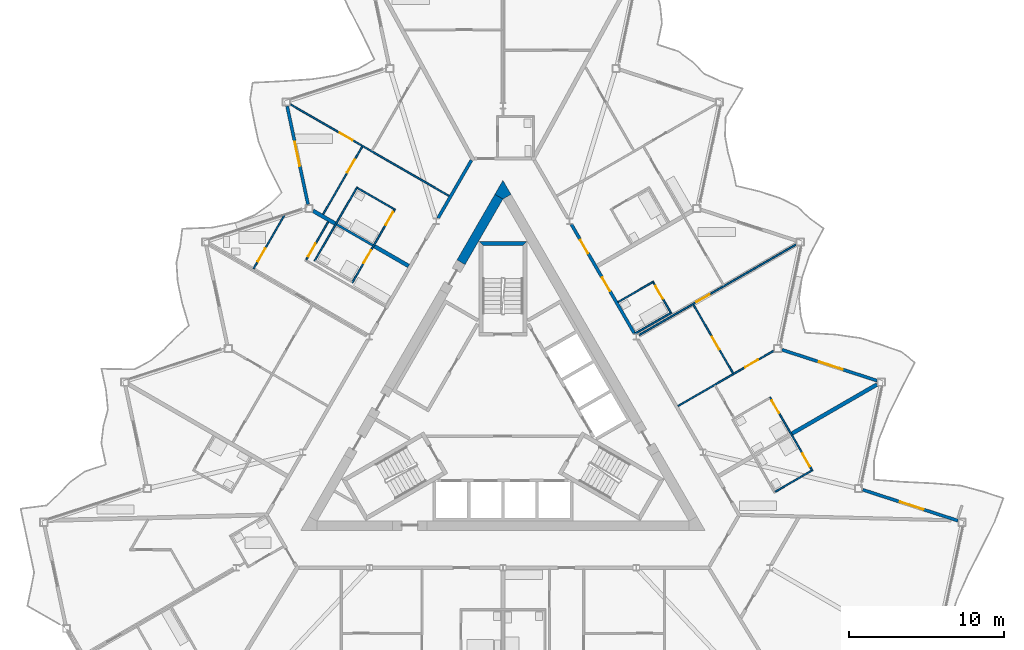
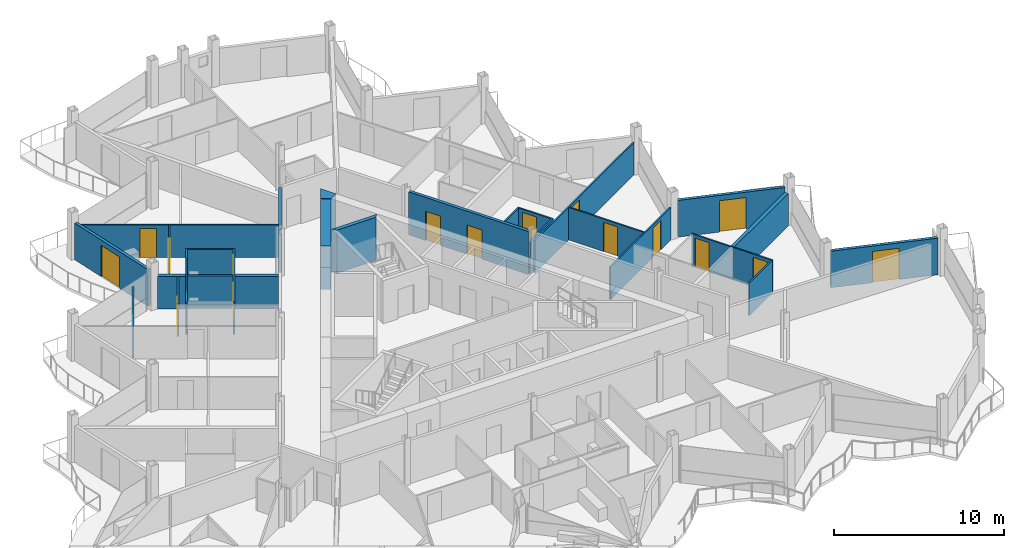
# One storey, part 16 of 26: 27 walls, 17 doors, 17 openings.
"""IFC4 building model written with IfcOpenShell, lengths in metres."""

from ifc_helpers import new_model, si_unit, direction, frame, frame_2d, origin, place, context, subcontext, project, spatial, polyline, rectangle, outline, extrude, material, layer, layer_set, type_object, element, fill, save


model = new_model("IFC4")

# Units and contexts
model_context = context("Model", 3, precision=1e-05, world=origin(), true_north=direction((0.0, 1.0)))
body_context = subcontext(model_context, "Body", "Model", "MODEL_VIEW")
ifc_project = project(units=[si_unit("LENGTHUNIT", "METRE"), si_unit("AREAUNIT", "SQUARE_METRE"), si_unit("VOLUMEUNIT", "CUBIC_METRE"), si_unit("PLANEANGLEUNIT", "RADIAN"), si_unit("MASSUNIT", "GRAM", prefix="KILO")], contexts=[model_context])

# Site, building, storey
site_placement = place(None, origin())
site = spatial("IfcSite", under=ifc_project, at=site_placement, CompositionType="ELEMENT")
building_placement = place(site_placement, origin())
building = spatial("IfcBuilding", under=site, at=building_placement, Name="Cormorant Prow Tower", CompositionType="ELEMENT")
storey_placement = place(building_placement, frame((0.0, 0.0, 401.800048828125)))
storey = spatial("IfcBuildingStorey", under=building, at=storey_placement, Name="L92", CompositionType="ELEMENT", Elevation=401.800048828125)

# Walls
ifc_material_1 = material(Name="Concrete 8000 psi", Category="concrete")
ifc_layer_1 = layer(ifc_material_1, 0.60009765625)
ifc_layer_set_1 = layer_set([ifc_layer_1], Name="Concrete 8000 psi")
wall_type_1 = type_object("IfcWallType", Name="Core shear wall 600", PredefinedType="SHEAR", material=ifc_layer_set_1)
wall_1_placement = place(storey_placement, frame((-0.259765625, 13.961181640625, 0.0), z_axis=(0.0, 0.0, 1.0), x_axis=(-0.50000604952, -0.866021911064, 0.0)))
element("IfcWall", 1, at=wall_1_placement, inside=storey, type_object=wall_type_1, Name="Core wall", PredefinedType="SHEAR", context=body_context, shape_type="SweptSolid", body=[
    extrude(rectangle(XDim=4.86865234375, YDim=0.60009765625, at=frame_2d((2.434326171875, 0.0))), origin(), (0.0, 0.0, 1.0), 3.099853515625),
])
wall_2_placement = place(storey_placement, origin())
element("IfcWall", 2, at=wall_2_placement, inside=storey, type_object=wall_type_1, Name="Core wall corner", PredefinedType="SHEAR", context=body_context, shape_type="SweptSolid", body=[
    extrude(outline(polyline([(-0.51953125, 14.111083984375), (0.0, 15.010986328125), (0.51953125, 14.111083984375), (0.0, 13.81103515625), (-0.51953125, 14.111083984375)])), origin(), (0.0, 0.0, 1.0), 3.099853515625),
])

# Wall, openings, doors
ifc_material_2 = material(Name="Gypsum board corridor wall")
ifc_layer_2 = layer(ifc_material_2, 0.199951171875)
ifc_layer_set_2 = layer_set([ifc_layer_2], Name="Gypsum board corridor wall")
wall_type_2 = type_object("IfcWallType", Name="Corridor wall 200", PredefinedType="PARTITIONING", material=ifc_layer_set_2)
wall_3_placement = place(storey_placement, frame((4.403076171875, 12.184814453125, 0.0), z_axis=(0.0, 0.0, 1.0), x_axis=(0.499992155518, -0.866029932751, 0.0)))
wall_3 = element("IfcWall", 3, at=wall_3_placement, inside=storey, type_object=wall_type_2, Name="Corridor wall", PredefinedType="PARTITIONING", context=body_context, shape_type="SweptSolid", body=[
    extrude(rectangle(XDim=8.123291015625, YDim=0.199951171875, at=frame_2d((4.0615234375, 0.0))), origin(), (0.0, 0.0, 1.0), 3.099853515625),
])
opening_1_placement = place(wall_3_placement, frame((3.963134765625, 0.0, 0.0)))
opening_1 = element("IfcOpeningElement", 4, at=opening_1_placement, cuts=wall_3, Name="Opening L92-F20", PredefinedType="OPENING", context=body_context, shape_type="SweptSolid", body=[
    extrude(rectangle(XDim=1.0, YDim=2.10009765625, at=frame_2d((0.5, 1.050048828125))), frame((0.0, 0.10986328125, 0.0), z_axis=(0.0, -1.0, 0.0), x_axis=(1.0, 0.0, 0.0)), (0.0, 0.0, 1.0), 0.219970703125),
])
opening_2_placement = place(wall_3_placement, frame((1.1533203125, 0.0, 0.0)))
opening_2 = element("IfcOpeningElement", 5, at=opening_2_placement, cuts=wall_3, Name="Opening L92-F28", PredefinedType="OPENING", context=body_context, shape_type="SweptSolid", body=[
    extrude(rectangle(XDim=1.0, YDim=2.10009765625, at=frame_2d((0.5, 1.050048828125))), frame((0.0, 0.10986328125, 0.0), z_axis=(0.0, -1.0, 0.0), x_axis=(1.0, 0.0, 0.0)), (0.0, 0.0, 1.0), 0.219970703125),
])
ifc_material_3 = material(Name="Timber door leaf", Category="wood")
door_type_1 = type_object("IfcDoorType", Name="Flat or room entrance door 1000x2100", OperationType="NOTDEFINED", PredefinedType="DOOR", material=ifc_material_3)
door_1_placement = place(opening_1_placement, origin())
door_1 = element("IfcDoor", 6, at=door_1_placement, inside=storey, type_object=door_type_1, Name="Living room door", OperationType="SINGLE_SWING_LEFT", OverallHeight=2.10009765625, OverallWidth=1.0, PredefinedType="DOOR", context=body_context, shape_type="SweptSolid", body=[
    extrude(rectangle(XDim=1.0, YDim=2.10009765625, at=frame_2d((0.5, 1.050048828125))), frame((0.0, 0.02490234375, 0.0), z_axis=(0.0, -1.0, 0.0), x_axis=(1.0, 0.0, 0.0)), (0.0, 0.0, 1.0), 0.050048828125),
])
fill(opening_1, door_1)
door_2_placement = place(opening_2_placement, origin())
door_2 = element("IfcDoor", 7, at=door_2_placement, inside=storey, type_object=door_type_1, Name="Living room door", OperationType="SINGLE_SWING_RIGHT", OverallHeight=2.10009765625, OverallWidth=1.0, PredefinedType="DOOR", context=body_context, shape_type="SweptSolid", body=[
    extrude(rectangle(XDim=1.0, YDim=2.10009765625, at=frame_2d((0.5, 1.050048828125))), frame((0.0, 0.02490234375, 0.0), z_axis=(0.0, -1.0, 0.0), x_axis=(1.0, 0.0, 0.0)), (0.0, 0.0, 1.0), 0.050048828125),
])
fill(opening_2, door_2)

# Wall
wall_4_placement = place(storey_placement, frame((-4.175537109375, 12.578857421875, 0.0), z_axis=(0.0, 0.0, 1.0), x_axis=(0.500004215162, 0.866022970146, 0.0)))
element("IfcWall", 8, at=wall_4_placement, inside=storey, type_object=wall_type_2, Name="Corridor wall", PredefinedType="PARTITIONING", context=body_context, shape_type="SweptSolid", body=[
    extrude(rectangle(XDim=4.30029296875, YDim=0.199951171875, at=frame_2d((2.150146484375, 0.0))), origin(), (0.0, 0.0, 1.0), 3.099853515625),
])

# Wall, opening, door
ifc_material_4 = material(Name="Gypsum board partition")
ifc_layer_3 = layer(ifc_material_4, 0.10009765625)
ifc_layer_set_3 = layer_set([ifc_layer_3], Name="Gypsum board partition")
wall_type_3 = type_object("IfcWallType", Name="Internal partition 100", PredefinedType="PARTITIONING", material=ifc_layer_set_3)
wall_5_placement = place(storey_placement, frame((-13.668701171875, 19.900390625, 0.0), z_axis=(0.0, 0.0, 1.0), x_axis=(0.866032376801, -0.499987922186, 0.0)))
wall_5 = element("IfcWall", 9, at=wall_5_placement, inside=storey, type_object=wall_type_3, Name="Internal partition", PredefinedType="PARTITIONING", context=body_context, shape_type="SweptSolid", body=[
    extrude(rectangle(XDim=11.781982421875, YDim=0.10009765625, at=frame_2d((5.89111328125, 0.0))), origin(), (0.0, 0.0, 1.0), 2.330078125),
])
opening_3_placement = place(wall_5_placement, frame((3.66064453125, 0.0, 0.0)))
opening_3 = element("IfcOpeningElement", 10, at=opening_3_placement, cuts=wall_5, Name="Opening L92-F42", PredefinedType="OPENING", context=body_context, shape_type="SweptSolid", body=[
    extrude(rectangle(XDim=0.949951171875, YDim=2.10009765625, at=frame_2d((0.47509765625, 1.050048828125))), frame((0.0, 0.06005859375, 0.0), z_axis=(0.0, -1.0, 0.0), x_axis=(1.0, 0.0, 0.0)), (0.0, 0.0, 1.0), 0.1201171875),
])
ifc_material_5 = material(Name="Timber door leaf", Category="wood")
door_type_2 = type_object("IfcDoorType", Name="Bathroom door 950x2100", OperationType="NOTDEFINED", PredefinedType="DOOR", material=ifc_material_5)
door_3_placement = place(opening_3_placement, origin())
door_3 = element("IfcDoor", 11, at=door_3_placement, inside=storey, type_object=door_type_2, Name="Kitchen door", OperationType="SINGLE_SWING_RIGHT", OverallHeight=2.10009765625, OverallWidth=0.949951171875, PredefinedType="DOOR", context=body_context, shape_type="SweptSolid", body=[
    extrude(rectangle(XDim=0.949951171875, YDim=2.10009765625, at=frame_2d((0.47509765625, 1.050048828125))), frame((0.0, 0.02490234375, 0.0), z_axis=(0.0, -1.0, 0.0), x_axis=(1.0, 0.0, 0.0)), (0.0, 0.0, 1.0), 0.050048828125),
])
fill(opening_3, door_3)

wall_6_placement = place(storey_placement, frame((8.775390625, 5.06640625, 0.0), z_axis=(0.0, 0.0, 1.0), x_axis=(0.866023724155, 0.500002909193, 0.0)))
wall_6 = element("IfcWall", 12, at=wall_6_placement, inside=storey, type_object=wall_type_3, Name="Internal partition", PredefinedType="PARTITIONING", context=body_context, shape_type="SweptSolid", body=[
    extrude(rectangle(XDim=11.65478515625, YDim=0.10009765625, at=frame_2d((5.827392578125, 0.0))), origin(), (0.0, 0.0, 1.0), 2.330078125),
])
opening_4_placement = place(wall_6_placement, frame((4.251708984375, 0.0, 0.0)))
opening_4 = element("IfcOpeningElement", 13, at=opening_4_placement, cuts=wall_6, Name="Opening L92-F23", PredefinedType="OPENING", context=body_context, shape_type="SweptSolid", body=[
    extrude(rectangle(XDim=0.949951171875, YDim=2.10009765625, at=frame_2d((0.47509765625, 1.050048828125))), frame((0.0, 0.06005859375, 0.0), z_axis=(0.0, -1.0, 0.0), x_axis=(1.0, 0.0, 0.0)), (0.0, 0.0, 1.0), 0.1201171875),
])
door_4_placement = place(opening_4_placement, origin())
door_4 = element("IfcDoor", 14, at=door_4_placement, inside=storey, type_object=door_type_2, Name="Living room door", OperationType="SINGLE_SWING_LEFT", OverallHeight=2.10009765625, OverallWidth=0.949951171875, PredefinedType="DOOR", context=body_context, shape_type="SweptSolid", body=[
    extrude(rectangle(XDim=0.949951171875, YDim=2.10009765625, at=frame_2d((0.47509765625, 1.050048828125))), frame((0.0, 0.02490234375, 0.0), z_axis=(0.0, -1.0, 0.0), x_axis=(1.0, 0.0, 0.0)), (0.0, 0.0, 1.0), 0.050048828125),
])
fill(opening_4, door_4)

wall_7_placement = place(storey_placement, frame((11.26513671875, 0.49951171875, 0.0), z_axis=(0.0, 0.0, 1.0), x_axis=(0.866033839264, 0.499985389037, 0.0)))
wall_7 = element("IfcWall", 15, at=wall_7_placement, inside=storey, type_object=wall_type_3, Name="Internal partition", PredefinedType="PARTITIONING", context=body_context, shape_type="SweptSolid", body=[
    extrude(rectangle(XDim=7.099853515625, YDim=0.10009765625, at=frame_2d((3.5498046875, 0.0))), origin(), (0.0, 0.0, 1.0), 2.330078125),
])
opening_5_placement = place(wall_7_placement, frame((4.991943359375, 0.0, 0.0)))
opening_5 = element("IfcOpeningElement", 16, at=opening_5_placement, cuts=wall_7, Name="Opening L92-F25", PredefinedType="OPENING", context=body_context, shape_type="SweptSolid", body=[
    extrude(rectangle(XDim=0.949951171875, YDim=2.10009765625, at=frame_2d((0.47509765625, 1.050048828125))), frame((0.0, 0.06005859375, 0.0), z_axis=(0.0, -1.0, 0.0), x_axis=(1.0, 0.0, 0.0)), (0.0, 0.0, 1.0), 0.1201171875),
])
door_5_placement = place(opening_5_placement, origin())
door_5 = element("IfcDoor", 17, at=door_5_placement, inside=storey, type_object=door_type_2, Name="Bedroom door", OperationType="SINGLE_SWING_LEFT", OverallHeight=2.10009765625, OverallWidth=0.949951171875, PredefinedType="DOOR", context=body_context, shape_type="SweptSolid", body=[
    extrude(rectangle(XDim=0.949951171875, YDim=2.10009765625, at=frame_2d((0.47509765625, 1.050048828125))), frame((0.0, 0.02490234375, 0.0), z_axis=(0.0, -1.0, 0.0), x_axis=(1.0, 0.0, 0.0)), (0.0, 0.0, 1.0), 0.050048828125),
])
fill(opening_5, door_5)

# Wall
wall_8_placement = place(storey_placement, frame((-12.11669921875, 9.824462890625, 0.0), z_axis=(0.0, 0.0, 1.0), x_axis=(0.499996545922, 0.866027397988, 0.0)))
element("IfcWall", 18, at=wall_8_placement, inside=storey, type_object=wall_type_3, Name="Internal partition", PredefinedType="PARTITIONING", context=body_context, shape_type="SweptSolid", body=[
    extrude(rectangle(XDim=5.5, YDim=0.10009765625, at=frame_2d((2.75, 0.0))), origin(), (0.0, 0.0, 1.0), 2.330078125),
])

# Wall, openings, doors
wall_9_placement = place(storey_placement, frame((-9.691650390625, 8.424560546875, 0.0), z_axis=(0.0, 0.0, 1.0), x_axis=(0.499996545922, 0.866027397988, 0.0)))
wall_9 = element("IfcWall", 19, at=wall_9_placement, inside=storey, type_object=wall_type_3, Name="Internal partition", PredefinedType="PARTITIONING", context=body_context, shape_type="SweptSolid", body=[
    extrude(rectangle(XDim=5.5, YDim=0.10009765625, at=frame_2d((2.75, 0.0))), origin(), (0.0, 0.0, 1.0), 2.330078125),
])
opening_6_placement = place(wall_9_placement, frame((4.300048828125, 0.0, 0.0)))
opening_6 = element("IfcOpeningElement", 20, at=opening_6_placement, cuts=wall_9, Name="Opening L92-F40", PredefinedType="OPENING", context=body_context, shape_type="SweptSolid", body=[
    extrude(rectangle(XDim=0.949951171875, YDim=2.10009765625, at=frame_2d((0.47509765625, 1.050048828125))), frame((0.0, 0.06005859375, 0.0), z_axis=(0.0, -1.0, 0.0), x_axis=(1.0, 0.0, 0.0)), (0.0, 0.0, 1.0), 0.1201171875),
])
opening_7_placement = place(wall_9_placement, frame((1.465087890625, 0.0, 0.0)))
opening_7 = element("IfcOpeningElement", 21, at=opening_7_placement, cuts=wall_9, Name="Opening L92-F51", PredefinedType="OPENING", context=body_context, shape_type="SweptSolid", body=[
    extrude(rectangle(XDim=0.949951171875, YDim=2.10009765625, at=frame_2d((0.47509765625, 1.050048828125))), frame((0.0, 0.06005859375, 0.0), z_axis=(0.0, -1.0, 0.0), x_axis=(1.0, 0.0, 0.0)), (0.0, 0.0, 1.0), 0.1201171875),
])
door_6_placement = place(opening_6_placement, origin())
door_6 = element("IfcDoor", 22, at=door_6_placement, inside=storey, type_object=door_type_2, Name="Living room door", OperationType="SINGLE_SWING_RIGHT", OverallHeight=2.10009765625, OverallWidth=0.949951171875, PredefinedType="DOOR", context=body_context, shape_type="SweptSolid", body=[
    extrude(rectangle(XDim=0.949951171875, YDim=2.10009765625, at=frame_2d((0.47509765625, 1.050048828125))), frame((0.0, 0.02490234375, 0.0), z_axis=(0.0, -1.0, 0.0), x_axis=(1.0, 0.0, 0.0)), (0.0, 0.0, 1.0), 0.050048828125),
])
fill(opening_6, door_6)
door_7_placement = place(opening_7_placement, origin())
door_7 = element("IfcDoor", 23, at=door_7_placement, inside=storey, type_object=door_type_2, Name="Kitchen door", OperationType="SINGLE_SWING_RIGHT", OverallHeight=2.10009765625, OverallWidth=0.949951171875, PredefinedType="DOOR", context=body_context, shape_type="SweptSolid", body=[
    extrude(rectangle(XDim=0.949951171875, YDim=2.10009765625, at=frame_2d((0.47509765625, 1.050048828125))), frame((0.0, 0.02490234375, 0.0), z_axis=(0.0, -1.0, 0.0), x_axis=(1.0, 0.0, 0.0)), (0.0, 0.0, 1.0), 0.050048828125),
])
fill(opening_7, door_7)

wall_10_placement = place(storey_placement, frame((17.16650390625, 1.07763671875, 0.0), z_axis=(0.0, 0.0, 1.0), x_axis=(0.499996545922, -0.866027397988, 0.0)))
wall_10 = element("IfcWall", 24, at=wall_10_placement, inside=storey, type_object=wall_type_3, Name="Internal partition", PredefinedType="PARTITIONING", context=body_context, shape_type="SweptSolid", body=[
    extrude(rectangle(XDim=5.5, YDim=0.10009765625, at=frame_2d((2.75, 0.0))), origin(), (0.0, 0.0, 1.0), 2.330078125),
])
opening_8_placement = place(wall_10_placement, frame((4.19873046875, 0.0, 0.0)))
opening_8 = element("IfcOpeningElement", 25, at=opening_8_placement, cuts=wall_10, Name="Opening L92-F19", PredefinedType="OPENING", context=body_context, shape_type="SweptSolid", body=[
    extrude(rectangle(XDim=0.949951171875, YDim=2.10009765625, at=frame_2d((0.47509765625, 1.050048828125))), frame((0.0, 0.06005859375, 0.0), z_axis=(0.0, -1.0, 0.0), x_axis=(1.0, 0.0, 0.0)), (0.0, 0.0, 1.0), 0.1201171875),
])
opening_9_placement = place(wall_10_placement, frame((0.25, 0.0, 0.0)))
opening_9 = element("IfcOpeningElement", 26, at=opening_9_placement, cuts=wall_10, Name="Opening L92-F27", PredefinedType="OPENING", context=body_context, shape_type="SweptSolid", body=[
    extrude(rectangle(XDim=0.949951171875, YDim=2.10009765625, at=frame_2d((0.47509765625, 1.050048828125))), frame((0.0, 0.06005859375, 0.0), z_axis=(0.0, -1.0, 0.0), x_axis=(1.0, 0.0, 0.0)), (0.0, 0.0, 1.0), 0.1201171875),
])
door_8_placement = place(opening_8_placement, origin())
door_8 = element("IfcDoor", 27, at=door_8_placement, inside=storey, type_object=door_type_2, Name="Studio living, kitchen and sleeping room door", OperationType="SINGLE_SWING_RIGHT", OverallHeight=2.10009765625, OverallWidth=0.949951171875, PredefinedType="DOOR", context=body_context, shape_type="SweptSolid", body=[
    extrude(rectangle(XDim=0.949951171875, YDim=2.10009765625, at=frame_2d((0.47509765625, 1.050048828125))), frame((0.0, 0.02490234375, 0.0), z_axis=(0.0, -1.0, 0.0), x_axis=(1.0, 0.0, 0.0)), (0.0, 0.0, 1.0), 0.050048828125),
])
fill(opening_8, door_8)
door_9_placement = place(opening_9_placement, origin())
door_9 = element("IfcDoor", 28, at=door_9_placement, inside=storey, type_object=door_type_2, Name="Bedroom door", OperationType="SINGLE_SWING_LEFT", OverallHeight=2.10009765625, OverallWidth=0.949951171875, PredefinedType="DOOR", context=body_context, shape_type="SweptSolid", body=[
    extrude(rectangle(XDim=0.949951171875, YDim=2.10009765625, at=frame_2d((0.47509765625, 1.050048828125))), frame((0.0, 0.02490234375, 0.0), z_axis=(0.0, -1.0, 0.0), x_axis=(1.0, 0.0, 0.0)), (0.0, 0.0, 1.0), 0.050048828125),
])
fill(opening_9, door_9)

# Wall, opening, door
wall_11_placement = place(storey_placement, frame((12.25390625, 7.01708984375, 0.0), z_axis=(0.0, 0.0, 1.0), x_axis=(0.500005610874, -0.86602216432, 0.0)))
wall_11 = element("IfcWall", 29, at=wall_11_placement, inside=storey, type_object=wall_type_3, Name="Internal partition", PredefinedType="PARTITIONING", context=body_context, shape_type="SweptSolid", body=[
    extrude(rectangle(XDim=5.10009765625, YDim=0.10009765625, at=frame_2d((2.550048828125, 0.0))), origin(), (0.0, 0.0, 1.0), 2.330078125),
])
opening_10_placement = place(wall_11_placement, frame((2.379150390625, 0.0, 0.0)))
opening_10 = element("IfcOpeningElement", 30, at=opening_10_placement, cuts=wall_11, Name="Opening L92-F24", PredefinedType="OPENING", context=body_context, shape_type="SweptSolid", body=[
    extrude(rectangle(XDim=0.949951171875, YDim=2.10009765625, at=frame_2d((0.47509765625, 1.050048828125))), frame((0.0, 0.06005859375, 0.0), z_axis=(0.0, -1.0, 0.0), x_axis=(1.0, 0.0, 0.0)), (0.0, 0.0, 1.0), 0.1201171875),
])
door_10_placement = place(opening_10_placement, origin())
door_10 = element("IfcDoor", 31, at=door_10_placement, inside=storey, type_object=door_type_2, Name="Bedroom door", OperationType="SINGLE_SWING_RIGHT", OverallHeight=2.10009765625, OverallWidth=0.949951171875, PredefinedType="DOOR", context=body_context, shape_type="SweptSolid", body=[
    extrude(rectangle(XDim=0.949951171875, YDim=2.10009765625, at=frame_2d((0.47509765625, 1.050048828125))), frame((0.0, 0.02490234375, 0.0), z_axis=(0.0, -1.0, 0.0), x_axis=(1.0, 0.0, 0.0)), (0.0, 0.0, 1.0), 0.050048828125),
])
fill(opening_10, door_10)

wall_12_placement = place(storey_placement, frame((-11.56494140625, 12.82568359375, 0.0), z_axis=(0.0, 0.0, 1.0), x_axis=(0.499990214365, 0.86603105345, 0.0)))
wall_12 = element("IfcWall", 32, at=wall_12_placement, inside=storey, type_object=wall_type_3, Name="Internal partition", PredefinedType="PARTITIONING", context=body_context, shape_type="SweptSolid", body=[
    extrude(rectangle(XDim=5.02490234375, YDim=0.10009765625, at=frame_2d((2.512451171875, 0.0))), origin(), (0.0, 0.0, 1.0), 2.330078125),
])
opening_11_placement = place(wall_12_placement, frame((3.110107421875, 0.0, 0.0)))
opening_11 = element("IfcOpeningElement", 33, at=opening_11_placement, cuts=wall_12, Name="Opening L92-F41", PredefinedType="OPENING", context=body_context, shape_type="SweptSolid", body=[
    extrude(rectangle(XDim=0.949951171875, YDim=2.10009765625, at=frame_2d((0.47509765625, 1.050048828125))), frame((0.0, 0.06005859375, 0.0), z_axis=(0.0, -1.0, 0.0), x_axis=(1.0, 0.0, 0.0)), (0.0, 0.0, 1.0), 0.1201171875),
])
door_11_placement = place(opening_11_placement, origin())
door_11 = element("IfcDoor", 34, at=door_11_placement, inside=storey, type_object=door_type_2, Name="Living room door", OperationType="SINGLE_SWING_RIGHT", OverallHeight=2.10009765625, OverallWidth=0.949951171875, PredefinedType="DOOR", context=body_context, shape_type="SweptSolid", body=[
    extrude(rectangle(XDim=0.949951171875, YDim=2.10009765625, at=frame_2d((0.47509765625, 1.050048828125))), frame((0.0, 0.02490234375, 0.0), z_axis=(0.0, -1.0, 0.0), x_axis=(1.0, 0.0, 0.0)), (0.0, 0.0, 1.0), 0.050048828125),
])
fill(opening_11, door_11)

wall_13_placement = place(storey_placement, frame((-16.044921875, 9.3212890625, 0.0), z_axis=(0.0, 0.0, 1.0), x_axis=(0.500014251897, 0.866017175291, 0.0)))
wall_13 = element("IfcWall", 35, at=wall_13_placement, inside=storey, type_object=wall_type_3, Name="Internal partition", PredefinedType="PARTITIONING", context=body_context, shape_type="SweptSolid", body=[
    extrude(rectangle(XDim=4.03173828125, YDim=0.10009765625, at=frame_2d((2.015869140625, 0.0))), origin(), (0.0, 0.0, 1.0), 2.330078125),
])
opening_12_placement = place(wall_13_placement, frame((0.559814453125, 0.0, 0.0)))
opening_12 = element("IfcOpeningElement", 36, at=opening_12_placement, cuts=wall_13, Name="Opening L92-F45", PredefinedType="OPENING", context=body_context, shape_type="SweptSolid", body=[
    extrude(rectangle(XDim=0.949951171875, YDim=2.10009765625, at=frame_2d((0.47509765625, 1.050048828125))), frame((0.0, 0.06005859375, 0.0), z_axis=(0.0, -1.0, 0.0), x_axis=(1.0, 0.0, 0.0)), (0.0, 0.0, 1.0), 0.1201171875),
])
door_12_placement = place(opening_12_placement, origin())
door_12 = element("IfcDoor", 37, at=door_12_placement, inside=storey, type_object=door_type_2, Name="Living room door", OperationType="SINGLE_SWING_LEFT", OverallHeight=2.10009765625, OverallWidth=0.949951171875, PredefinedType="DOOR", context=body_context, shape_type="SweptSolid", body=[
    extrude(rectangle(XDim=0.949951171875, YDim=2.10009765625, at=frame_2d((0.47509765625, 1.050048828125))), frame((0.0, 0.02490234375, 0.0), z_axis=(0.0, -1.0, 0.0), x_axis=(1.0, 0.0, 0.0)), (0.0, 0.0, 1.0), 0.050048828125),
])
fill(opening_12, door_12)

wall_14_placement = place(storey_placement, frame((-12.649658203125, 9.9013671875, 0.0), z_axis=(0.0, 0.0, 1.0), x_axis=(0.500024172624, 0.866011447264, 0.0)))
wall_14 = element("IfcWall", 38, at=wall_14_placement, inside=storey, type_object=wall_type_3, Name="Internal partition", PredefinedType="PARTITIONING", context=body_context, shape_type="SweptSolid", body=[
    extrude(rectangle(XDim=2.824951171875, YDim=0.10009765625, at=frame_2d((1.41259765625, 0.0))), origin(), (0.0, 0.0, 1.0), 2.330078125),
])
opening_13_placement = place(wall_14_placement, frame((0.25, 0.0, 0.0)))
opening_13 = element("IfcOpeningElement", 39, at=opening_13_placement, cuts=wall_14, Name="Opening L92-F46", PredefinedType="OPENING", context=body_context, shape_type="SweptSolid", body=[
    extrude(rectangle(XDim=0.949951171875, YDim=2.10009765625, at=frame_2d((0.47509765625, 1.050048828125))), frame((0.0, 0.06005859375, 0.0), z_axis=(0.0, -1.0, 0.0), x_axis=(1.0, 0.0, 0.0)), (0.0, 0.0, 1.0), 0.1201171875),
])
door_13_placement = place(opening_13_placement, origin())
door_13 = element("IfcDoor", 40, at=door_13_placement, inside=storey, type_object=door_type_2, Name="Living room door", OperationType="SINGLE_SWING_LEFT", OverallHeight=2.10009765625, OverallWidth=0.949951171875, PredefinedType="DOOR", context=body_context, shape_type="SweptSolid", body=[
    extrude(rectangle(XDim=0.949951171875, YDim=2.10009765625, at=frame_2d((0.47509765625, 1.050048828125))), frame((0.0, 0.02490234375, 0.0), z_axis=(0.0, -1.0, 0.0), x_axis=(1.0, 0.0, 0.0)), (0.0, 0.0, 1.0), 0.050048828125),
])
fill(opening_13, door_13)

# Walls
for number, where, z_axis, x_axis, name in (
    (41, (-9.348388671875, 14.519287109375, 0.0), (0.0, 0.0, 1.0), (0.866059108428, -0.4999416173, 0.0), "Internal partition"),
    (42, (17.510009765625, -5.01708984375, 0.0), (0.0, 0.0, 1.0), (0.866059108428, 0.4999416173, 0.0), "Internal partition"),
):
    element("IfcWall", number, at=place(storey_placement, frame(where, z_axis=z_axis, x_axis=x_axis)), inside=storey, type_object=wall_type_3, Name=name, PredefinedType="PARTITIONING", context=body_context, shape_type="SweptSolid", body=[
        extrude(rectangle(XDim=2.699951171875, YDim=0.10009765625, at=frame_2d((1.35009765625, 0.0))), origin(), (0.0, 0.0, 1.0), 2.330078125),
    ])
wall_15_placement = place(storey_placement, frame((7.406982421875, 7.181640625, 0.0), z_axis=(0.0, 0.0, 1.0), x_axis=(0.866052124492, 0.499953715521, 0.0)))
element("IfcWall", 43, at=wall_15_placement, inside=storey, type_object=wall_type_3, Name="Internal partition", PredefinedType="PARTITIONING", context=body_context, shape_type="SweptSolid", body=[
    extrude(rectangle(XDim=2.650146484375, YDim=0.10009765625, at=frame_2d((1.3251953125, 0.0))), origin(), (0.0, 0.0, 1.0), 2.330078125),
])
wall_16_placement = place(storey_placement, frame((8.48779296875, 5.14990234375, 0.0), z_axis=(0.0, 0.0, 1.0), x_axis=(0.866027727466, 0.499995975244, 0.0)))
element("IfcWall", 44, at=wall_16_placement, inside=storey, type_object=wall_type_3, Name="Internal partition", PredefinedType="PARTITIONING", context=body_context, shape_type="SweptSolid", body=[
    extrude(rectangle(XDim=2.72998046875, YDim=0.10009765625, at=frame_2d((1.364990234375, 0.0))), origin(), (0.0, 0.0, 1.0), 2.330078125),
])

# Wall, opening, door
wall_17_placement = place(storey_placement, frame((9.683837890625, 8.438232421875, 0.0), z_axis=(0.0, 0.0, 1.0), x_axis=(0.499994660107, -0.866028486751, 0.0)))
wall_17 = element("IfcWall", 45, at=wall_17_placement, inside=storey, type_object=wall_type_3, Name="Internal partition", PredefinedType="PARTITIONING", context=body_context, shape_type="SweptSolid", body=[
    extrude(rectangle(XDim=2.19970703125, YDim=0.10009765625, at=frame_2d((1.099853515625, 0.0))), origin(), (0.0, 0.0, 1.0), 2.330078125),
])
opening_14_placement = place(wall_17_placement, frame((0.25, 0.0, 0.0)))
opening_14 = element("IfcOpeningElement", 46, at=opening_14_placement, cuts=wall_17, Name="Opening L92-F21", PredefinedType="OPENING", context=body_context, shape_type="SweptSolid", body=[
    extrude(rectangle(XDim=0.949951171875, YDim=2.10009765625, at=frame_2d((0.47509765625, 1.050048828125))), frame((0.0, 0.06005859375, 0.0), z_axis=(0.0, -1.0, 0.0), x_axis=(1.0, 0.0, 0.0)), (0.0, 0.0, 1.0), 0.1201171875),
])
door_14_placement = place(opening_14_placement, origin())
door_14 = element("IfcDoor", 47, at=door_14_placement, inside=storey, type_object=door_type_2, Name="Living room door", OperationType="SINGLE_SWING_LEFT", OverallHeight=2.10009765625, OverallWidth=0.949951171875, PredefinedType="DOOR", context=body_context, shape_type="SweptSolid", body=[
    extrude(rectangle(XDim=0.949951171875, YDim=2.10009765625, at=frame_2d((0.47509765625, 1.050048828125))), frame((0.0, 0.02490234375, 0.0), z_axis=(0.0, -1.0, 0.0), x_axis=(1.0, 0.0, 0.0)), (0.0, 0.0, 1.0), 0.050048828125),
])
fill(opening_14, door_14)

# Walls
ifc_material_6 = material(Name="Concrete 8000 psi", Category="concrete")
ifc_layer_4 = layer(ifc_material_6, 0.25)
ifc_layer_set_4 = layer_set([ifc_layer_4], Name="Concrete 8000 psi")
wall_type_4 = type_object("IfcWallType", Name="Stair wall 250", PredefinedType="SHEAR", material=ifc_layer_set_4)
wall_18_placement = place(storey_placement, origin())
element("IfcWall", 48, at=wall_18_placement, inside=storey, type_object=wall_type_4, Name="Stair ST3 enclosure wall (end)", PredefinedType="SHEAR", context=body_context, shape_type="SweptSolid", body=[
    extrude(outline(polyline([(1.5439453125, 11.0869140625), (-1.5439453125, 11.0869140625), (-1.2939453125, 10.8369140625), (1.2939453125, 10.8369140625), (1.5439453125, 11.0869140625)])), origin(), (0.0, 0.0, 1.0), 3.099853515625),
])
ifc_material_7 = material(Name="Acoustic gypsum party wall")
ifc_layer_5 = layer(ifc_material_7, 0.25)
ifc_layer_set_5 = layer_set([ifc_layer_5], Name="Acoustic gypsum party wall")
wall_type_5 = type_object("IfcWallType", Name="Suite party wall 250", PredefinedType="PARTITIONING", material=ifc_layer_set_5)
wall_19_placement = place(storey_placement, frame((18.5849609375, -1.27880859375, 0.0), z_axis=(0.0, 0.0, 1.0), x_axis=(0.866023139795, 0.500003921324, 0.0)))
element("IfcWall", 49, at=wall_19_placement, inside=storey, type_object=wall_type_5, Name="Suite party wall", PredefinedType="PARTITIONING", context=body_context, shape_type="SweptSolid", body=[
    extrude(rectangle(XDim=6.33203125, YDim=0.25, at=frame_2d((3.166015625, 0.0))), origin(), (0.0, 0.0, 1.0), 2.330078125),
])
wall_20_placement = place(storey_placement, frame((-8.2734375, 10.781005859375, 0.0), z_axis=(0.0, 0.0, 1.0), x_axis=(0.866030925526, -0.499990435942, 0.0)))
element("IfcWall", 50, at=wall_20_placement, inside=storey, type_object=wall_type_5, Name="Suite party wall", PredefinedType="PARTITIONING", context=body_context, shape_type="SweptSolid", body=[
    extrude(rectangle(XDim=2.5498046875, YDim=0.25, at=frame_2d((1.27490234375, 0.0))), origin(), (0.0, 0.0, 1.0), 2.330078125),
])
wall_21_placement = place(storey_placement, frame((-12.2138671875, 13.05615234375, 0.0), z_axis=(0.0, 0.0, 1.0), x_axis=(0.866040211805, -0.499974350878, 0.0)))
element("IfcWall", 51, at=wall_21_placement, inside=storey, type_object=wall_type_5, Name="Suite party wall", PredefinedType="PARTITIONING", context=body_context, shape_type="SweptSolid", body=[
    extrude(rectangle(XDim=1.64990234375, YDim=0.25, at=frame_2d((0.824951171875, 0.0))), origin(), (0.0, 0.0, 1.0), 2.330078125),
])

# Wall, opening, door
ifc_material_8 = material(Name="Terracotta", Category="masonry")
ifc_layer_6 = layer(ifc_material_8, 0.199951171875)
ifc_layer_set_6 = layer_set([ifc_layer_6], Name="Terracotta")
wall_type_6 = type_object("IfcWallType", Name="Terracotta jamb wall 200", PredefinedType="SOLIDWALL", material=ifc_layer_set_6)
wall_22_placement = place(storey_placement, frame((29.273681640625, -6.8798828125, 0.0), z_axis=(0.0, 0.0, 1.0), x_axis=(-0.951055516513, 0.309020071371, 0.0)))
wall_22 = element("IfcWall", 52, at=wall_22_placement, inside=storey, type_object=wall_type_6, Name="Terracotta jamb wall ENE01", PredefinedType="SOLIDWALL", context=body_context, shape_type="SweptSolid", body=[
    extrude(rectangle(XDim=6.4404296875, YDim=0.199951171875, at=frame_2d((3.22021484375, 0.0))), origin(), (0.0, 0.0, 1.0), 2.6337890625),
])
opening_15_placement = place(wall_22_placement, frame((2.332763671875, 0.0, 0.0)))
opening_15 = element("IfcOpeningElement", 53, at=opening_15_placement, cuts=wall_22, Name="Opening ED92.06", PredefinedType="OPENING", context=body_context, shape_type="SweptSolid", body=[
    extrude(rectangle(XDim=1.60009765625, YDim=2.25, at=frame_2d((0.800048828125, 1.125))), frame((0.0, 0.10986328125, 0.0), z_axis=(0.0, -1.0, 0.0), x_axis=(1.0, 0.0, 0.0)), (0.0, 0.0, 1.0), 0.219970703125),
])
ifc_material_9 = material(Name="Aluminium 6063-T6", Category="aluminium")
door_type_3 = type_object("IfcDoorType", Name="Balcony door 1600x2250", OperationType="DOUBLE_DOOR_SINGLE_SWING", PredefinedType="DOOR", material=ifc_material_9)
door_15_placement = place(opening_15_placement, origin())
door_15 = element("IfcDoor", 54, at=door_15_placement, inside=storey, type_object=door_type_3, Name="Balcony door ENE01 ED92.06", OperationType="DOUBLE_DOOR_SINGLE_SWING", OverallHeight=2.25, OverallWidth=1.60009765625, PredefinedType="DOOR", context=body_context, shape_type="SweptSolid", body=[
    extrude(rectangle(XDim=1.60009765625, YDim=2.25, at=frame_2d((0.800048828125, 1.125))), frame((0.0, 0.02490234375, 0.0), z_axis=(0.0, -1.0, 0.0), x_axis=(1.0, 0.0, 0.0)), (0.0, 0.0, 1.0), 0.050048828125),
])
fill(opening_15, door_15)

wall_23_placement = place(storey_placement, frame((24.07373046875, 2.126708984375, 0.0), z_axis=(0.0, 0.0, 1.0), x_axis=(-0.951055516513, 0.309020071371, 0.0)))
wall_23 = element("IfcWall", 55, at=wall_23_placement, inside=storey, type_object=wall_type_6, Name="Terracotta jamb wall ENE03", PredefinedType="SOLIDWALL", context=body_context, shape_type="SweptSolid", body=[
    extrude(rectangle(XDim=6.4404296875, YDim=0.199951171875, at=frame_2d((3.22021484375, 0.0))), origin(), (0.0, 0.0, 1.0), 2.6337890625),
])
opening_16_placement = place(wall_23_placement, frame((2.332763671875, 0.0, 0.0)))
opening_16 = element("IfcOpeningElement", 56, at=opening_16_placement, cuts=wall_23, Name="Opening ED92.07", PredefinedType="OPENING", context=body_context, shape_type="SweptSolid", body=[
    extrude(rectangle(XDim=1.60009765625, YDim=2.25, at=frame_2d((0.800048828125, 1.125))), frame((0.0, 0.10986328125, 0.0), z_axis=(0.0, -1.0, 0.0), x_axis=(1.0, 0.0, 0.0)), (0.0, 0.0, 1.0), 0.219970703125),
])
door_16_placement = place(opening_16_placement, origin())
door_16 = element("IfcDoor", 57, at=door_16_placement, inside=storey, type_object=door_type_3, Name="Balcony door ENE03 ED92.07", OperationType="DOUBLE_DOOR_SINGLE_SWING", OverallHeight=2.25, OverallWidth=1.60009765625, PredefinedType="DOOR", context=body_context, shape_type="SweptSolid", body=[
    extrude(rectangle(XDim=1.60009765625, YDim=2.25, at=frame_2d((0.800048828125, 1.125))), frame((0.0, 0.02490234375, 0.0), z_axis=(0.0, -1.0, 0.0), x_axis=(1.0, 0.0, 0.0)), (0.0, 0.0, 1.0), 0.050048828125),
])
fill(opening_16, door_16)

wall_24_placement = place(storey_placement, frame((-13.878662109375, 19.784912109375, 0.0), z_axis=(0.0, 0.0, 1.0), x_axis=(0.207895859675, -0.978150965613, 0.0)))
wall_24 = element("IfcWall", 58, at=wall_24_placement, inside=storey, type_object=wall_type_6, Name="Terracotta jamb wall WNW03", PredefinedType="SOLIDWALL", context=body_context, shape_type="SweptSolid", body=[
    extrude(rectangle(XDim=6.453125, YDim=0.199951171875, at=frame_2d((3.2265625, 0.0))), origin(), (0.0, 0.0, 1.0), 2.6337890625),
])
opening_17_placement = place(wall_24_placement, frame((2.332763671875, 0.0, 0.0)))
opening_17 = element("IfcOpeningElement", 59, at=opening_17_placement, cuts=wall_24, Name="Opening ED92.12", PredefinedType="OPENING", context=body_context, shape_type="SweptSolid", body=[
    extrude(rectangle(XDim=1.60009765625, YDim=2.25, at=frame_2d((0.800048828125, 1.125))), frame((0.0, 0.10986328125, 0.0), z_axis=(0.0, -1.0, 0.0), x_axis=(1.0, 0.0, 0.0)), (0.0, 0.0, 1.0), 0.219970703125),
])
door_17_placement = place(opening_17_placement, origin())
door_17 = element("IfcDoor", 60, at=door_17_placement, inside=storey, type_object=door_type_3, Name="Balcony door WNW03 ED92.12", OperationType="DOUBLE_DOOR_SINGLE_SWING", OverallHeight=2.25, OverallWidth=1.60009765625, PredefinedType="DOOR", context=body_context, shape_type="SweptSolid", body=[
    extrude(rectangle(XDim=1.60009765625, YDim=2.25, at=frame_2d((0.800048828125, 1.125))), frame((0.0, 0.02490234375, 0.0), z_axis=(0.0, -1.0, 0.0), x_axis=(1.0, 0.0, 0.0)), (0.0, 0.0, 1.0), 0.050048828125),
])
fill(opening_17, door_17)

# Wall
ifc_material_10 = material(Name="Plasterboard wet wall with pipe chase")
ifc_layer_7 = layer(ifc_material_10, 0.14990234375)
ifc_layer_set_7 = layer_set([ifc_layer_7], Name="Plasterboard wet wall with pipe chase")
wall_type_7 = type_object("IfcWallType", Name="Wet wall 150", PredefinedType="PLUMBINGWALL", material=ifc_layer_set_7)
wall_25_placement = place(storey_placement, frame((-10.6982421875, 12.18115234375, 0.0), z_axis=(0.0, 0.0, 1.0), x_axis=(0.86599734893, -0.500048589285, 0.0)))
element("IfcWall", 61, at=wall_25_placement, inside=storey, type_object=wall_type_7, Name="Wet wall", PredefinedType="PLUMBINGWALL", context=body_context, shape_type="SweptSolid", body=[
    extrude(rectangle(XDim=2.699951171875, YDim=0.14990234375, at=frame_2d((1.35009765625, 0.0))), origin(), (0.0, 0.0, 1.0), 2.330078125),
])

save(model, "model.ifc")
